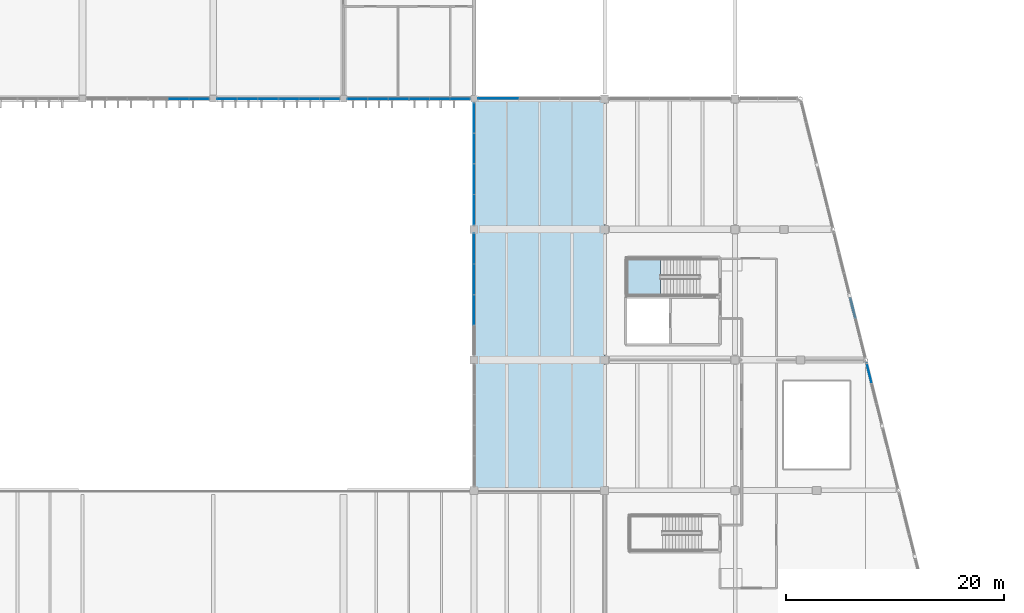
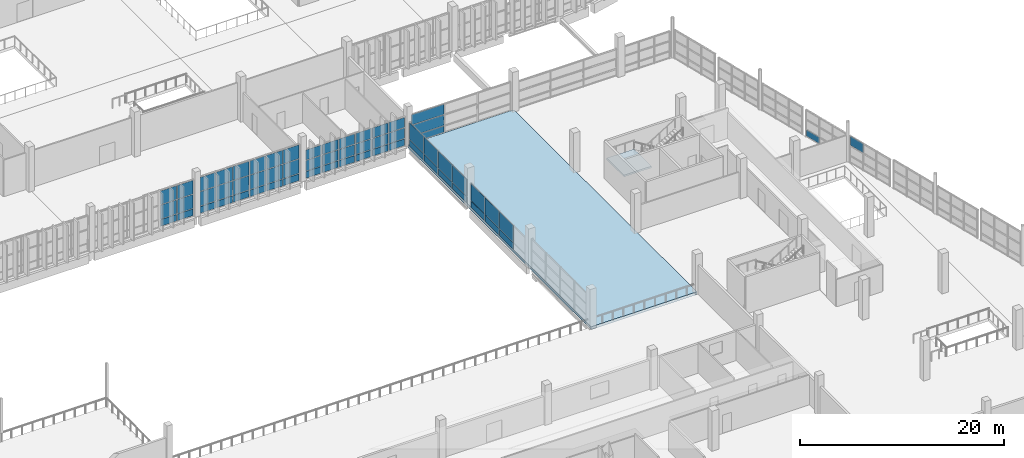
# One storey, part 66 of 112: 61 plates, 2 slabs, 11 elements without a shape of their own.
"""IFC4 building model written with IfcOpenShell, lengths in metres."""

from ifc_helpers import new_model, si_unit, direction, frame, origin, origin_2d, place, context, subcontext, project, spatial, polyline, rectangle, outline, extrude, material, layer, layer_set, type_object, element, aggregate, save


model = new_model("IFC4")

# Units and contexts
model_context = context("Model", 3, precision=1e-05, world=origin(), true_north=direction((0.0, 1.0)))
body_context = subcontext(model_context, "Body", "Model", "MODEL_VIEW")
ifc_project = project(units=[si_unit("LENGTHUNIT", "METRE"), si_unit("AREAUNIT", "SQUARE_METRE"), si_unit("VOLUMEUNIT", "CUBIC_METRE"), si_unit("PLANEANGLEUNIT", "RADIAN"), si_unit("MASSUNIT", "GRAM", prefix="KILO")], contexts=[model_context])

# Site, building, storey
site_placement = place(None, origin())
site = spatial("IfcSite", under=ifc_project, at=site_placement, CompositionType="ELEMENT")
building_placement = place(site_placement, origin())
building = spatial("IfcBuilding", under=site, at=building_placement, Name="Kamomehara Wholesale Market", CompositionType="ELEMENT")
storey_placement = place(building_placement, frame((0.0, 0.0, 6.60009765625)))
storey = spatial("IfcBuildingStorey", under=building, at=storey_placement, Name="L01", CompositionType="ELEMENT", Elevation=6.60009765625)

# Curtain wall, plates
ifc_material_1 = material(Name="Anodised aluminium 6063-T5", Category="aluminium")
curtain_wall_type_1 = type_object("IfcCurtainWallType", Name="CW-UN-02", PredefinedType="NOTDEFINED", material=ifc_material_1)
curtain_wall_1_placement = place(storey_placement, origin())
curtain_wall_1 = element("IfcCurtainWall", 1, at=curtain_wall_1_placement, inside=storey, type_object=curtain_wall_type_1, Name="Unitised curtain wall CW-079", PredefinedType="NOTDEFINED")
ifc_material_2 = material(Name="Solar-control Low-E double glazing", Category="glass")
ifc_layer_1 = layer(ifc_material_2, 0.028076171875)
ifc_layer_set_1 = layer_set([ifc_layer_1], Name="Solar-control Low-E double glazing")
plate_type_1 = type_object("IfcPlateType", Name="CW-PNL-GLZ", PredefinedType="CURTAIN_PANEL", material=ifc_layer_set_1)
plate_1_placement = place(storey_placement, frame((130.712890625, 95.97998046875, 0.93017578125), z_axis=(0.0, 0.0, 1.0), x_axis=(-1.0, 0.0, 0.0)))
plate_1 = element("IfcPlate", 2, at=plate_1_placement, type_object=plate_type_1, Name="Curtain panel CW-079.0.1", PredefinedType="CURTAIN_PANEL", context=body_context, shape_type="SweptSolid", body=[
    extrude(rectangle(XDim=1.79296875, YDim=0.028076171875, at=origin_2d()), origin(), (0.0, 0.0, 1.0), 1.679931640625),
])
plate_2_placement = place(storey_placement, frame((130.712890625, 95.97998046875, 2.669921875), z_axis=(0.0, 0.0, 1.0), x_axis=(-1.0, 0.0, 0.0)))
plate_2 = element("IfcPlate", 3, at=plate_2_placement, type_object=plate_type_1, Name="Curtain panel CW-079.0.2", PredefinedType="CURTAIN_PANEL", context=body_context, shape_type="SweptSolid", body=[
    extrude(rectangle(XDim=1.79296875, YDim=0.028076171875, at=origin_2d()), origin(), (0.0, 0.0, 1.0), 1.639892578125),
])
plate_3_placement = place(storey_placement, frame((128.840087890625, 95.97998046875, 0.93017578125), z_axis=(0.0, 0.0, 1.0), x_axis=(-1.0, 0.0, 0.0)))
plate_3 = element("IfcPlate", 4, at=plate_3_placement, type_object=plate_type_1, Name="Curtain panel CW-079.1.1", PredefinedType="CURTAIN_PANEL", context=body_context, shape_type="SweptSolid", body=[
    extrude(rectangle(XDim=1.79296875, YDim=0.028076171875, at=origin_2d()), origin(), (0.0, 0.0, 1.0), 1.679931640625),
])
plate_4_placement = place(storey_placement, frame((128.840087890625, 95.97998046875, 2.669921875), z_axis=(0.0, 0.0, 1.0), x_axis=(-1.0, 0.0, 0.0)))
plate_4 = element("IfcPlate", 5, at=plate_4_placement, type_object=plate_type_1, Name="Curtain panel CW-079.1.2", PredefinedType="CURTAIN_PANEL", context=body_context, shape_type="SweptSolid", body=[
    extrude(rectangle(XDim=1.79296875, YDim=0.028076171875, at=origin_2d()), origin(), (0.0, 0.0, 1.0), 1.639892578125),
])

curtain_wall_2_placement = place(storey_placement, origin())
curtain_wall_2 = element("IfcCurtainWall", 6, at=curtain_wall_2_placement, inside=storey, type_object=curtain_wall_type_1, Name="Unitised curtain wall CW-083", PredefinedType="NOTDEFINED")
plate_5_placement = place(storey_placement, frame((142.712890625, 95.97998046875, 0.930419921875), z_axis=(0.0, 0.0, 1.0), x_axis=(-1.0, 0.0, 0.0)))
plate_5 = element("IfcPlate", 7, at=plate_5_placement, type_object=plate_type_1, Name="Curtain panel CW-083.0.1", PredefinedType="CURTAIN_PANEL", context=body_context, shape_type="SweptSolid", body=[
    extrude(rectangle(XDim=1.79296875, YDim=0.028076171875, at=origin_2d()), origin(), (0.0, 0.0, 1.0), 1.705078125),
])
plate_6_placement = place(storey_placement, frame((142.712890625, 95.97998046875, 2.6953125), z_axis=(0.0, 0.0, 1.0), x_axis=(-1.0, 0.0, 0.0)))
plate_6 = element("IfcPlate", 8, at=plate_6_placement, type_object=plate_type_1, Name="Curtain panel CW-083.0.2", PredefinedType="CURTAIN_PANEL", context=body_context, shape_type="SweptSolid", body=[
    extrude(rectangle(XDim=1.79296875, YDim=0.028076171875, at=origin_2d()), origin(), (0.0, 0.0, 1.0), 1.6650390625),
])
plate_7_placement = place(storey_placement, frame((140.840087890625, 95.97998046875, 0.930419921875), z_axis=(0.0, 0.0, 1.0), x_axis=(-1.0, 0.0, 0.0)))
plate_7 = element("IfcPlate", 9, at=plate_7_placement, type_object=plate_type_1, Name="Curtain panel CW-083.1.1", PredefinedType="CURTAIN_PANEL", context=body_context, shape_type="SweptSolid", body=[
    extrude(rectangle(XDim=1.79296875, YDim=0.028076171875, at=origin_2d()), origin(), (0.0, 0.0, 1.0), 1.705078125),
])
plate_8_placement = place(storey_placement, frame((140.840087890625, 95.97998046875, 2.6953125), z_axis=(0.0, 0.0, 1.0), x_axis=(-1.0, 0.0, 0.0)))
plate_8 = element("IfcPlate", 10, at=plate_8_placement, type_object=plate_type_1, Name="Curtain panel CW-083.1.2", PredefinedType="CURTAIN_PANEL", context=body_context, shape_type="SweptSolid", body=[
    extrude(rectangle(XDim=1.79296875, YDim=0.028076171875, at=origin_2d()), origin(), (0.0, 0.0, 1.0), 1.6650390625),
])
plate_9_placement = place(storey_placement, frame((138.967041015625, 95.97998046875, 0.930419921875), z_axis=(0.0, 0.0, 1.0), x_axis=(-1.0, 0.0, 0.0)))
plate_9 = element("IfcPlate", 11, at=plate_9_placement, type_object=plate_type_1, Name="Curtain panel CW-083.2.1", PredefinedType="CURTAIN_PANEL", context=body_context, shape_type="SweptSolid", body=[
    extrude(rectangle(XDim=1.79296875, YDim=0.028076171875, at=origin_2d()), origin(), (0.0, 0.0, 1.0), 1.705078125),
])
plate_10_placement = place(storey_placement, frame((138.967041015625, 95.97998046875, 2.6953125), z_axis=(0.0, 0.0, 1.0), x_axis=(-1.0, 0.0, 0.0)))
plate_10 = element("IfcPlate", 12, at=plate_10_placement, type_object=plate_type_1, Name="Curtain panel CW-083.2.2", PredefinedType="CURTAIN_PANEL", context=body_context, shape_type="SweptSolid", body=[
    extrude(rectangle(XDim=1.79296875, YDim=0.028076171875, at=origin_2d()), origin(), (0.0, 0.0, 1.0), 1.6650390625),
])

curtain_wall_3_placement = place(storey_placement, origin())
curtain_wall_3 = element("IfcCurtainWall", 13, at=curtain_wall_3_placement, inside=storey, type_object=curtain_wall_type_1, Name="Unitised curtain wall CW-084", PredefinedType="NOTDEFINED")
plate_11_placement = place(storey_placement, frame((137.032958984375, 95.97998046875, 0.930419921875), z_axis=(0.0, 0.0, 1.0), x_axis=(-1.0, 0.0, 0.0)))
plate_11 = element("IfcPlate", 14, at=plate_11_placement, type_object=plate_type_1, Name="Curtain panel CW-084.0.1", PredefinedType="CURTAIN_PANEL", context=body_context, shape_type="SweptSolid", body=[
    extrude(rectangle(XDim=1.79296875, YDim=0.028076171875, at=origin_2d()), origin(), (0.0, 0.0, 1.0), 1.705078125),
])
plate_12_placement = place(storey_placement, frame((137.032958984375, 95.97998046875, 2.6953125), z_axis=(0.0, 0.0, 1.0), x_axis=(-1.0, 0.0, 0.0)))
plate_12 = element("IfcPlate", 15, at=plate_12_placement, type_object=plate_type_1, Name="Curtain panel CW-084.0.2", PredefinedType="CURTAIN_PANEL", context=body_context, shape_type="SweptSolid", body=[
    extrude(rectangle(XDim=1.79296875, YDim=0.028076171875, at=origin_2d()), origin(), (0.0, 0.0, 1.0), 1.6650390625),
])
plate_13_placement = place(storey_placement, frame((135.159912109375, 95.97998046875, 0.930419921875), z_axis=(0.0, 0.0, 1.0), x_axis=(-1.0, 0.0, 0.0)))
plate_13 = element("IfcPlate", 16, at=plate_13_placement, type_object=plate_type_1, Name="Curtain panel CW-084.1.1", PredefinedType="CURTAIN_PANEL", context=body_context, shape_type="SweptSolid", body=[
    extrude(rectangle(XDim=1.79296875, YDim=0.028076171875, at=origin_2d()), origin(), (0.0, 0.0, 1.0), 1.705078125),
])
plate_14_placement = place(storey_placement, frame((135.159912109375, 95.97998046875, 2.6953125), z_axis=(0.0, 0.0, 1.0), x_axis=(-1.0, 0.0, 0.0)))
plate_14 = element("IfcPlate", 17, at=plate_14_placement, type_object=plate_type_1, Name="Curtain panel CW-084.1.2", PredefinedType="CURTAIN_PANEL", context=body_context, shape_type="SweptSolid", body=[
    extrude(rectangle(XDim=1.79296875, YDim=0.028076171875, at=origin_2d()), origin(), (0.0, 0.0, 1.0), 1.6650390625),
])
plate_15_placement = place(storey_placement, frame((133.287109375, 95.97998046875, 0.930419921875), z_axis=(0.0, 0.0, 1.0), x_axis=(-1.0, 0.0, 0.0)))
plate_15 = element("IfcPlate", 18, at=plate_15_placement, type_object=plate_type_1, Name="Curtain panel CW-084.2.1", PredefinedType="CURTAIN_PANEL", context=body_context, shape_type="SweptSolid", body=[
    extrude(rectangle(XDim=1.79296875, YDim=0.028076171875, at=origin_2d()), origin(), (0.0, 0.0, 1.0), 1.705078125),
])
plate_16_placement = place(storey_placement, frame((133.287109375, 95.97998046875, 2.6953125), z_axis=(0.0, 0.0, 1.0), x_axis=(-1.0, 0.0, 0.0)))
plate_16 = element("IfcPlate", 19, at=plate_16_placement, type_object=plate_type_1, Name="Curtain panel CW-084.2.2", PredefinedType="CURTAIN_PANEL", context=body_context, shape_type="SweptSolid", body=[
    extrude(rectangle(XDim=1.79296875, YDim=0.028076171875, at=origin_2d()), origin(), (0.0, 0.0, 1.0), 1.6650390625),
])

curtain_wall_4_placement = place(storey_placement, origin())
curtain_wall_4 = element("IfcCurtainWall", 20, at=curtain_wall_4_placement, inside=storey, type_object=curtain_wall_type_1, Name="Unitised curtain wall CW-087", PredefinedType="NOTDEFINED")
plate_17_placement = place(storey_placement, frame((154.712890625, 95.97998046875, 0.929443359375), z_axis=(0.0, 0.0, 1.0), x_axis=(-1.0, 0.0, 0.0)))
plate_17 = element("IfcPlate", 21, at=plate_17_placement, type_object=plate_type_1, Name="Curtain panel CW-087.0.1", PredefinedType="CURTAIN_PANEL", context=body_context, shape_type="SweptSolid", body=[
    extrude(rectangle(XDim=1.79296875, YDim=0.028076171875, at=origin_2d()), origin(), (0.0, 0.0, 1.0), 1.2490234375),
])
plate_18_placement = place(storey_placement, frame((154.712890625, 95.97998046875, 2.239013671875), z_axis=(0.0, 0.0, 1.0), x_axis=(-1.0, 0.0, 0.0)))
plate_18 = element("IfcPlate", 22, at=plate_18_placement, type_object=plate_type_1, Name="Curtain panel CW-087.0.2", PredefinedType="CURTAIN_PANEL", context=body_context, shape_type="SweptSolid", body=[
    extrude(rectangle(XDim=1.79296875, YDim=0.028076171875, at=origin_2d()), origin(), (0.0, 0.0, 1.0), 1.2099609375),
])
plate_19_placement = place(storey_placement, frame((152.840087890625, 95.97998046875, 0.929443359375), z_axis=(0.0, 0.0, 1.0), x_axis=(-1.0, 0.0, 0.0)))
plate_19 = element("IfcPlate", 23, at=plate_19_placement, type_object=plate_type_1, Name="Curtain panel CW-087.1.1", PredefinedType="CURTAIN_PANEL", context=body_context, shape_type="SweptSolid", body=[
    extrude(rectangle(XDim=1.79296875, YDim=0.028076171875, at=origin_2d()), origin(), (0.0, 0.0, 1.0), 1.2490234375),
])
plate_20_placement = place(storey_placement, frame((152.840087890625, 95.97998046875, 2.239013671875), z_axis=(0.0, 0.0, 1.0), x_axis=(-1.0, 0.0, 0.0)))
plate_20 = element("IfcPlate", 24, at=plate_20_placement, type_object=plate_type_1, Name="Curtain panel CW-087.1.2", PredefinedType="CURTAIN_PANEL", context=body_context, shape_type="SweptSolid", body=[
    extrude(rectangle(XDim=1.79296875, YDim=0.028076171875, at=origin_2d()), origin(), (0.0, 0.0, 1.0), 1.2099609375),
])
plate_21_placement = place(storey_placement, frame((150.967041015625, 95.97998046875, 0.929443359375), z_axis=(0.0, 0.0, 1.0), x_axis=(-1.0, 0.0, 0.0)))
plate_21 = element("IfcPlate", 25, at=plate_21_placement, type_object=plate_type_1, Name="Curtain panel CW-087.2.1", PredefinedType="CURTAIN_PANEL", context=body_context, shape_type="SweptSolid", body=[
    extrude(rectangle(XDim=1.79296875, YDim=0.028076171875, at=origin_2d()), origin(), (0.0, 0.0, 1.0), 1.2490234375),
])
plate_22_placement = place(storey_placement, frame((150.967041015625, 95.97998046875, 2.239013671875), z_axis=(0.0, 0.0, 1.0), x_axis=(-1.0, 0.0, 0.0)))
plate_22 = element("IfcPlate", 26, at=plate_22_placement, type_object=plate_type_1, Name="Curtain panel CW-087.2.2", PredefinedType="CURTAIN_PANEL", context=body_context, shape_type="SweptSolid", body=[
    extrude(rectangle(XDim=1.79296875, YDim=0.028076171875, at=origin_2d()), origin(), (0.0, 0.0, 1.0), 1.2099609375),
])

curtain_wall_5_placement = place(storey_placement, origin())
curtain_wall_5 = element("IfcCurtainWall", 27, at=curtain_wall_5_placement, inside=storey, type_object=curtain_wall_type_1, Name="Unitised curtain wall CW-088", PredefinedType="NOTDEFINED")
plate_23_placement = place(storey_placement, frame((149.032958984375, 95.97998046875, 0.929443359375), z_axis=(0.0, 0.0, 1.0), x_axis=(-1.0, 0.0, 0.0)))
plate_23 = element("IfcPlate", 28, at=plate_23_placement, type_object=plate_type_1, Name="Curtain panel CW-088.0.1", PredefinedType="CURTAIN_PANEL", context=body_context, shape_type="SweptSolid", body=[
    extrude(rectangle(XDim=1.79296875, YDim=0.028076171875, at=origin_2d()), origin(), (0.0, 0.0, 1.0), 1.2490234375),
])
plate_24_placement = place(storey_placement, frame((149.032958984375, 95.97998046875, 2.239013671875), z_axis=(0.0, 0.0, 1.0), x_axis=(-1.0, 0.0, 0.0)))
plate_24 = element("IfcPlate", 29, at=plate_24_placement, type_object=plate_type_1, Name="Curtain panel CW-088.0.2", PredefinedType="CURTAIN_PANEL", context=body_context, shape_type="SweptSolid", body=[
    extrude(rectangle(XDim=1.79296875, YDim=0.028076171875, at=origin_2d()), origin(), (0.0, 0.0, 1.0), 1.2099609375),
])
plate_25_placement = place(storey_placement, frame((147.159912109375, 95.97998046875, 0.929443359375), z_axis=(0.0, 0.0, 1.0), x_axis=(-1.0, 0.0, 0.0)))
plate_25 = element("IfcPlate", 30, at=plate_25_placement, type_object=plate_type_1, Name="Curtain panel CW-088.1.1", PredefinedType="CURTAIN_PANEL", context=body_context, shape_type="SweptSolid", body=[
    extrude(rectangle(XDim=1.79296875, YDim=0.028076171875, at=origin_2d()), origin(), (0.0, 0.0, 1.0), 1.2490234375),
])
plate_26_placement = place(storey_placement, frame((147.159912109375, 95.97998046875, 2.239013671875), z_axis=(0.0, 0.0, 1.0), x_axis=(-1.0, 0.0, 0.0)))
plate_26 = element("IfcPlate", 31, at=plate_26_placement, type_object=plate_type_1, Name="Curtain panel CW-088.1.2", PredefinedType="CURTAIN_PANEL", context=body_context, shape_type="SweptSolid", body=[
    extrude(rectangle(XDim=1.79296875, YDim=0.028076171875, at=origin_2d()), origin(), (0.0, 0.0, 1.0), 1.2099609375),
])
plate_27_placement = place(storey_placement, frame((145.287109375, 95.97998046875, 0.929443359375), z_axis=(0.0, 0.0, 1.0), x_axis=(-1.0, 0.0, 0.0)))
plate_27 = element("IfcPlate", 32, at=plate_27_placement, type_object=plate_type_1, Name="Curtain panel CW-088.2.1", PredefinedType="CURTAIN_PANEL", context=body_context, shape_type="SweptSolid", body=[
    extrude(rectangle(XDim=1.79296875, YDim=0.028076171875, at=origin_2d()), origin(), (0.0, 0.0, 1.0), 1.2490234375),
])
plate_28_placement = place(storey_placement, frame((145.287109375, 95.97998046875, 2.239013671875), z_axis=(0.0, 0.0, 1.0), x_axis=(-1.0, 0.0, 0.0)))
plate_28 = element("IfcPlate", 33, at=plate_28_placement, type_object=plate_type_1, Name="Curtain panel CW-088.2.2", PredefinedType="CURTAIN_PANEL", context=body_context, shape_type="SweptSolid", body=[
    extrude(rectangle(XDim=1.79296875, YDim=0.028076171875, at=origin_2d()), origin(), (0.0, 0.0, 1.0), 1.2099609375),
])

# Curtain wall, plate
ifc_material_3 = material(Name="Anodised aluminium 6063-T5", Category="aluminium")
curtain_wall_type_2 = type_object("IfcCurtainWallType", Name="CW-UN-09", PredefinedType="NOTDEFINED", material=ifc_material_3)
curtain_wall_6_placement = place(storey_placement, origin())
curtain_wall_6 = element("IfcCurtainWall", 34, at=curtain_wall_6_placement, inside=storey, type_object=curtain_wall_type_2, Name="Unitised curtain wall CW-183", PredefinedType="NOTDEFINED")
plate_29_placement = place(storey_placement, frame((192.333984375, 70.74609375, 2.079345703125), z_axis=(0.0, 0.0, 1.0), x_axis=(0.242616162662, -0.970122362187, 0.0)))
plate_29 = element("IfcPlate", 35, at=plate_29_placement, type_object=plate_type_1, Name="Curtain panel CW-183.0.2", PredefinedType="CURTAIN_PANEL", context=body_context, shape_type="SweptSolid", body=[
    extrude(rectangle(XDim=1.81494140625, YDim=0.028076171875, at=origin_2d()), origin(), (0.0, 0.0, 1.0), 1.09912109375),
])
aggregate(curtain_wall_6, [plate_29])

# Curtain wall, plates
ifc_material_4 = material(Name="Anodised aluminium 6063-T5", Category="aluminium")
curtain_wall_type_3 = type_object("IfcCurtainWallType", Name="CW-UN-08", PredefinedType="NOTDEFINED", material=ifc_material_4)
curtain_wall_7_placement = place(storey_placement, origin())
curtain_wall_7 = element("IfcCurtainWall", 36, at=curtain_wall_7_placement, inside=storey, type_object=curtain_wall_type_3, Name="Unitised curtain wall CW-189", PredefinedType="NOTDEFINED")
plate_30_placement = place(storey_placement, frame((158.22705078125, 96.02001953125, 0.8798828125), z_axis=(0.0, 0.0, 1.0), x_axis=(1.0, 0.0, 0.0)))
plate_30 = element("IfcPlate", 37, at=plate_30_placement, type_object=plate_type_1, Name="Curtain panel CW-189.0.1", PredefinedType="CURTAIN_PANEL", context=body_context, shape_type="SweptSolid", body=[
    extrude(rectangle(XDim=3.675048828125, YDim=0.028076171875, at=origin_2d()), origin(), (0.0, 0.0, 1.0), 1.27392578125),
])
plate_31_placement = place(storey_placement, frame((158.22705078125, 96.02001953125, 2.2138671875), z_axis=(0.0, 0.0, 1.0), x_axis=(1.0, 0.0, 0.0)))
plate_31 = element("IfcPlate", 38, at=plate_31_placement, type_object=plate_type_1, Name="Curtain panel CW-189.0.2", PredefinedType="CURTAIN_PANEL", context=body_context, shape_type="SweptSolid", body=[
    extrude(rectangle(XDim=3.675048828125, YDim=0.028076171875, at=origin_2d()), origin(), (0.0, 0.0, 1.0), 1.23388671875),
])

ifc_material_5 = material(Name="Anodised aluminium 6063-T5", Category="aluminium")
curtain_wall_type_4 = type_object("IfcCurtainWallType", Name="CW-UN-01", PredefinedType="NOTDEFINED", material=ifc_material_5)
curtain_wall_8_placement = place(storey_placement, origin())
curtain_wall_8 = element("IfcCurtainWall", 39, at=curtain_wall_8_placement, inside=storey, type_object=curtain_wall_type_4, Name="Unitised curtain wall CW-193", PredefinedType="NOTDEFINED")
plate_32_placement = place(storey_placement, frame((155.97998046875, 76.595947265625, 0.8798828125), z_axis=(0.0, 0.0, 1.0), x_axis=(0.0, 1.0, 0.0)))
plate_32 = element("IfcPlate", 40, at=plate_32_placement, type_object=plate_type_1, Name="Curtain panel CW-193.1.1", PredefinedType="CURTAIN_PANEL", context=body_context, shape_type="SweptSolid", body=[
    extrude(rectangle(XDim=2.72705078125, YDim=0.028076171875, at=origin_2d()), origin(), (0.0, 0.0, 1.0), 2.01806640625),
])
plate_33_placement = place(storey_placement, frame((155.97998046875, 79.404052734375, 0.8798828125), z_axis=(0.0, 0.0, 1.0), x_axis=(0.0, 1.0, 0.0)))
plate_33 = element("IfcPlate", 41, at=plate_33_placement, type_object=plate_type_1, Name="Curtain panel CW-193.2.1", PredefinedType="CURTAIN_PANEL", context=body_context, shape_type="SweptSolid", body=[
    extrude(rectangle(XDim=2.72705078125, YDim=0.028076171875, at=origin_2d()), origin(), (0.0, 0.0, 1.0), 2.01806640625),
])
plate_34_placement = place(storey_placement, frame((155.97998046875, 82.2109375, 0.8798828125), z_axis=(0.0, 0.0, 1.0), x_axis=(0.0, 1.0, 0.0)))
plate_34 = element("IfcPlate", 42, at=plate_34_placement, type_object=plate_type_1, Name="Curtain panel CW-193.3.1", PredefinedType="CURTAIN_PANEL", context=body_context, shape_type="SweptSolid", body=[
    extrude(rectangle(XDim=2.72705078125, YDim=0.028076171875, at=origin_2d()), origin(), (0.0, 0.0, 1.0), 2.01806640625),
])

curtain_wall_9_placement = place(storey_placement, origin())
curtain_wall_9 = element("IfcCurtainWall", 43, at=curtain_wall_9_placement, inside=storey, type_object=curtain_wall_type_4, Name="Unitised curtain wall CW-194", PredefinedType="NOTDEFINED")
plate_35_placement = place(storey_placement, frame((155.97998046875, 85.79296875, 0.8798828125), z_axis=(0.0, 0.0, 1.0), x_axis=(0.0, 1.0, 0.0)))
plate_35 = element("IfcPlate", 44, at=plate_35_placement, type_object=plate_type_1, Name="Curtain panel CW-194.0.1", PredefinedType="CURTAIN_PANEL", context=body_context, shape_type="SweptSolid", body=[
    extrude(rectangle(XDim=2.736083984375, YDim=0.028076171875, at=origin_2d()), origin(), (0.0, 0.0, 1.0), 2.01806640625),
])
plate_36_placement = place(storey_placement, frame((155.97998046875, 88.60888671875, 0.8798828125), z_axis=(0.0, 0.0, 1.0), x_axis=(0.0, 1.0, 0.0)))
plate_36 = element("IfcPlate", 45, at=plate_36_placement, type_object=plate_type_1, Name="Curtain panel CW-194.1.1", PredefinedType="CURTAIN_PANEL", context=body_context, shape_type="SweptSolid", body=[
    extrude(rectangle(XDim=2.736083984375, YDim=0.028076171875, at=origin_2d()), origin(), (0.0, 0.0, 1.0), 2.01806640625),
])
plate_37_placement = place(storey_placement, frame((155.97998046875, 91.426025390625, 0.8798828125), z_axis=(0.0, 0.0, 1.0), x_axis=(0.0, 1.0, 0.0)))
plate_37 = element("IfcPlate", 46, at=plate_37_placement, type_object=plate_type_1, Name="Curtain panel CW-194.2.1", PredefinedType="CURTAIN_PANEL", context=body_context, shape_type="SweptSolid", body=[
    extrude(rectangle(XDim=2.736083984375, YDim=0.028076171875, at=origin_2d()), origin(), (0.0, 0.0, 1.0), 2.01806640625),
])
plate_38_placement = place(storey_placement, frame((155.97998046875, 94.241943359375, 0.8798828125), z_axis=(0.0, 0.0, 1.0), x_axis=(0.0, 1.0, 0.0)))
plate_38 = element("IfcPlate", 47, at=plate_38_placement, type_object=plate_type_1, Name="Curtain panel CW-194.3.1", PredefinedType="CURTAIN_PANEL", context=body_context, shape_type="SweptSolid", body=[
    extrude(rectangle(XDim=2.736083984375, YDim=0.028076171875, at=origin_2d()), origin(), (0.0, 0.0, 1.0), 2.01806640625),
])

# Plate
ifc_material_6 = material(Name="Insulated aluminium spandrel panel", Category="aluminium")
ifc_layer_2 = layer(ifc_material_6, 0.0400390625)
ifc_layer_set_2 = layer_set([ifc_layer_2], Name="Insulated aluminium spandrel panel")
plate_type_2 = type_object("IfcPlateType", Name="CW-PNL-SPN", PredefinedType="CURTAIN_PANEL", material=ifc_layer_set_2)
plate_39_placement = place(storey_placement, frame((130.712890625, 95.97998046875, 0.06982421875), z_axis=(0.0, 0.0, 1.0), x_axis=(-1.0, 0.0, 0.0)))
plate_39 = element("IfcPlate", 48, at=plate_39_placement, type_object=plate_type_2, Name="Curtain panel CW-079.0.0", PredefinedType="CURTAIN_PANEL", context=body_context, shape_type="SweptSolid", body=[
    extrude(rectangle(XDim=1.79296875, YDim=0.0400390625, at=origin_2d()), origin(), (0.0, 0.0, 1.0), 0.800048828125),
])

plate_40_placement = place(storey_placement, frame((128.840087890625, 95.97998046875, 0.06982421875), z_axis=(0.0, 0.0, 1.0), x_axis=(-1.0, 0.0, 0.0)))
plate_40 = element("IfcPlate", 49, at=plate_40_placement, type_object=plate_type_2, Name="Curtain panel CW-079.1.0", PredefinedType="CURTAIN_PANEL", context=body_context, shape_type="SweptSolid", body=[
    extrude(rectangle(XDim=1.79296875, YDim=0.0400390625, at=origin_2d()), origin(), (0.0, 0.0, 1.0), 0.800048828125),
])

aggregate(curtain_wall_1, [plate_39, plate_1, plate_2, plate_40, plate_3, plate_4])

plate_41_placement = place(storey_placement, frame((142.712890625, 95.97998046875, 0.06982421875), z_axis=(0.0, 0.0, 1.0), x_axis=(-1.0, 0.0, 0.0)))
plate_41 = element("IfcPlate", 50, at=plate_41_placement, type_object=plate_type_2, Name="Curtain panel CW-083.0.0", PredefinedType="CURTAIN_PANEL", context=body_context, shape_type="SweptSolid", body=[
    extrude(rectangle(XDim=1.79296875, YDim=0.0400390625, at=origin_2d()), origin(), (0.0, 0.0, 1.0), 0.800048828125),
])

plate_42_placement = place(storey_placement, frame((140.840087890625, 95.97998046875, 0.06982421875), z_axis=(0.0, 0.0, 1.0), x_axis=(-1.0, 0.0, 0.0)))
plate_42 = element("IfcPlate", 51, at=plate_42_placement, type_object=plate_type_2, Name="Curtain panel CW-083.1.0", PredefinedType="CURTAIN_PANEL", context=body_context, shape_type="SweptSolid", body=[
    extrude(rectangle(XDim=1.79296875, YDim=0.0400390625, at=origin_2d()), origin(), (0.0, 0.0, 1.0), 0.800048828125),
])

plate_43_placement = place(storey_placement, frame((138.967041015625, 95.97998046875, 0.06982421875), z_axis=(0.0, 0.0, 1.0), x_axis=(-1.0, 0.0, 0.0)))
plate_43 = element("IfcPlate", 52, at=plate_43_placement, type_object=plate_type_2, Name="Curtain panel CW-083.2.0", PredefinedType="CURTAIN_PANEL", context=body_context, shape_type="SweptSolid", body=[
    extrude(rectangle(XDim=1.79296875, YDim=0.0400390625, at=origin_2d()), origin(), (0.0, 0.0, 1.0), 0.800048828125),
])

aggregate(curtain_wall_2, [plate_41, plate_5, plate_6, plate_42, plate_7, plate_8, plate_43, plate_9, plate_10])

plate_44_placement = place(storey_placement, frame((137.032958984375, 95.97998046875, 0.06982421875), z_axis=(0.0, 0.0, 1.0), x_axis=(-1.0, 0.0, 0.0)))
plate_44 = element("IfcPlate", 53, at=plate_44_placement, type_object=plate_type_2, Name="Curtain panel CW-084.0.0", PredefinedType="CURTAIN_PANEL", context=body_context, shape_type="SweptSolid", body=[
    extrude(rectangle(XDim=1.79296875, YDim=0.0400390625, at=origin_2d()), origin(), (0.0, 0.0, 1.0), 0.800048828125),
])

plate_45_placement = place(storey_placement, frame((135.159912109375, 95.97998046875, 0.06982421875), z_axis=(0.0, 0.0, 1.0), x_axis=(-1.0, 0.0, 0.0)))
plate_45 = element("IfcPlate", 54, at=plate_45_placement, type_object=plate_type_2, Name="Curtain panel CW-084.1.0", PredefinedType="CURTAIN_PANEL", context=body_context, shape_type="SweptSolid", body=[
    extrude(rectangle(XDim=1.79296875, YDim=0.0400390625, at=origin_2d()), origin(), (0.0, 0.0, 1.0), 0.800048828125),
])

plate_46_placement = place(storey_placement, frame((133.287109375, 95.97998046875, 0.06982421875), z_axis=(0.0, 0.0, 1.0), x_axis=(-1.0, 0.0, 0.0)))
plate_46 = element("IfcPlate", 55, at=plate_46_placement, type_object=plate_type_2, Name="Curtain panel CW-084.2.0", PredefinedType="CURTAIN_PANEL", context=body_context, shape_type="SweptSolid", body=[
    extrude(rectangle(XDim=1.79296875, YDim=0.0400390625, at=origin_2d()), origin(), (0.0, 0.0, 1.0), 0.800048828125),
])

aggregate(curtain_wall_3, [plate_44, plate_11, plate_12, plate_45, plate_13, plate_14, plate_46, plate_15, plate_16])

plate_47_placement = place(storey_placement, frame((154.712890625, 95.97998046875, 0.06982421875), z_axis=(0.0, 0.0, 1.0), x_axis=(-1.0, 0.0, 0.0)))
plate_47 = element("IfcPlate", 56, at=plate_47_placement, type_object=plate_type_2, Name="Curtain panel CW-087.0.0", PredefinedType="CURTAIN_PANEL", context=body_context, shape_type="SweptSolid", body=[
    extrude(rectangle(XDim=1.79296875, YDim=0.0400390625, at=origin_2d()), origin(), (0.0, 0.0, 1.0), 0.800048828125),
])

plate_48_placement = place(storey_placement, frame((152.840087890625, 95.97998046875, 0.06982421875), z_axis=(0.0, 0.0, 1.0), x_axis=(-1.0, 0.0, 0.0)))
plate_48 = element("IfcPlate", 57, at=plate_48_placement, type_object=plate_type_2, Name="Curtain panel CW-087.1.0", PredefinedType="CURTAIN_PANEL", context=body_context, shape_type="SweptSolid", body=[
    extrude(rectangle(XDim=1.79296875, YDim=0.0400390625, at=origin_2d()), origin(), (0.0, 0.0, 1.0), 0.800048828125),
])

plate_49_placement = place(storey_placement, frame((150.967041015625, 95.97998046875, 0.06982421875), z_axis=(0.0, 0.0, 1.0), x_axis=(-1.0, 0.0, 0.0)))
plate_49 = element("IfcPlate", 58, at=plate_49_placement, type_object=plate_type_2, Name="Curtain panel CW-087.2.0", PredefinedType="CURTAIN_PANEL", context=body_context, shape_type="SweptSolid", body=[
    extrude(rectangle(XDim=1.79296875, YDim=0.0400390625, at=origin_2d()), origin(), (0.0, 0.0, 1.0), 0.800048828125),
])

aggregate(curtain_wall_4, [plate_47, plate_17, plate_18, plate_48, plate_19, plate_20, plate_49, plate_21, plate_22])

plate_50_placement = place(storey_placement, frame((149.032958984375, 95.97998046875, 0.06982421875), z_axis=(0.0, 0.0, 1.0), x_axis=(-1.0, 0.0, 0.0)))
plate_50 = element("IfcPlate", 59, at=plate_50_placement, type_object=plate_type_2, Name="Curtain panel CW-088.0.0", PredefinedType="CURTAIN_PANEL", context=body_context, shape_type="SweptSolid", body=[
    extrude(rectangle(XDim=1.79296875, YDim=0.0400390625, at=origin_2d()), origin(), (0.0, 0.0, 1.0), 0.800048828125),
])

plate_51_placement = place(storey_placement, frame((147.159912109375, 95.97998046875, 0.06982421875), z_axis=(0.0, 0.0, 1.0), x_axis=(-1.0, 0.0, 0.0)))
plate_51 = element("IfcPlate", 60, at=plate_51_placement, type_object=plate_type_2, Name="Curtain panel CW-088.1.0", PredefinedType="CURTAIN_PANEL", context=body_context, shape_type="SweptSolid", body=[
    extrude(rectangle(XDim=1.79296875, YDim=0.0400390625, at=origin_2d()), origin(), (0.0, 0.0, 1.0), 0.800048828125),
])

plate_52_placement = place(storey_placement, frame((145.287109375, 95.97998046875, 0.06982421875), z_axis=(0.0, 0.0, 1.0), x_axis=(-1.0, 0.0, 0.0)))
plate_52 = element("IfcPlate", 61, at=plate_52_placement, type_object=plate_type_2, Name="Curtain panel CW-088.2.0", PredefinedType="CURTAIN_PANEL", context=body_context, shape_type="SweptSolid", body=[
    extrude(rectangle(XDim=1.79296875, YDim=0.0400390625, at=origin_2d()), origin(), (0.0, 0.0, 1.0), 0.800048828125),
])

aggregate(curtain_wall_5, [plate_50, plate_23, plate_24, plate_51, plate_25, plate_26, plate_52, plate_27, plate_28])

# Curtain wall, plate
curtain_wall_10_placement = place(storey_placement, origin())
curtain_wall_10 = element("IfcCurtainWall", 62, at=curtain_wall_10_placement, inside=storey, type_object=curtain_wall_type_2, Name="Unitised curtain wall CW-186", PredefinedType="NOTDEFINED")
plate_53_placement = place(storey_placement, frame((190.8330078125, 76.751953125, 0.06982421875), z_axis=(0.0, 0.0, 1.0), x_axis=(0.242446840674, -0.97016469192, 0.0)))
plate_53 = element("IfcPlate", 63, at=plate_53_placement, type_object=plate_type_2, Name="Curtain panel CW-186.0.0", PredefinedType="CURTAIN_PANEL", context=body_context, shape_type="SweptSolid", body=[
    extrude(rectangle(XDim=1.802001953125, YDim=0.0400390625, at=origin_2d()), origin(), (0.0, 0.0, 1.0), 0.75),
])
aggregate(curtain_wall_10, [plate_53])

# Plate
plate_54_placement = place(storey_placement, frame((158.22705078125, 96.02001953125, 0.06982421875), z_axis=(0.0, 0.0, 1.0), x_axis=(1.0, 0.0, 0.0)))
plate_54 = element("IfcPlate", 64, at=plate_54_placement, type_object=plate_type_2, Name="Curtain panel CW-189.0.0", PredefinedType="CURTAIN_PANEL", context=body_context, shape_type="SweptSolid", body=[
    extrude(rectangle(XDim=3.675048828125, YDim=0.0400390625, at=origin_2d()), origin(), (0.0, 0.0, 1.0), 0.75),
])

aggregate(curtain_wall_7, [plate_54, plate_30, plate_31])

plate_55_placement = place(storey_placement, frame((155.97998046875, 76.595947265625, 0.06982421875), z_axis=(0.0, 0.0, 1.0), x_axis=(0.0, 1.0, 0.0)))
plate_55 = element("IfcPlate", 65, at=plate_55_placement, type_object=plate_type_2, Name="Curtain panel CW-193.1.0", PredefinedType="CURTAIN_PANEL", context=body_context, shape_type="SweptSolid", body=[
    extrude(rectangle(XDim=2.72705078125, YDim=0.0400390625, at=origin_2d()), origin(), (0.0, 0.0, 1.0), 0.75),
])

plate_56_placement = place(storey_placement, frame((155.97998046875, 79.404052734375, 0.06982421875), z_axis=(0.0, 0.0, 1.0), x_axis=(0.0, 1.0, 0.0)))
plate_56 = element("IfcPlate", 66, at=plate_56_placement, type_object=plate_type_2, Name="Curtain panel CW-193.2.0", PredefinedType="CURTAIN_PANEL", context=body_context, shape_type="SweptSolid", body=[
    extrude(rectangle(XDim=2.72705078125, YDim=0.0400390625, at=origin_2d()), origin(), (0.0, 0.0, 1.0), 0.75),
])

plate_57_placement = place(storey_placement, frame((155.97998046875, 82.2109375, 0.06982421875), z_axis=(0.0, 0.0, 1.0), x_axis=(0.0, 1.0, 0.0)))
plate_57 = element("IfcPlate", 67, at=plate_57_placement, type_object=plate_type_2, Name="Curtain panel CW-193.3.0", PredefinedType="CURTAIN_PANEL", context=body_context, shape_type="SweptSolid", body=[
    extrude(rectangle(XDim=2.72705078125, YDim=0.0400390625, at=origin_2d()), origin(), (0.0, 0.0, 1.0), 0.75),
])

aggregate(curtain_wall_8, [plate_55, plate_32, plate_56, plate_33, plate_57, plate_34])

plate_58_placement = place(storey_placement, frame((155.97998046875, 85.79296875, 0.06982421875), z_axis=(0.0, 0.0, 1.0), x_axis=(0.0, 1.0, 0.0)))
plate_58 = element("IfcPlate", 68, at=plate_58_placement, type_object=plate_type_2, Name="Curtain panel CW-194.0.0", PredefinedType="CURTAIN_PANEL", context=body_context, shape_type="SweptSolid", body=[
    extrude(rectangle(XDim=2.736083984375, YDim=0.0400390625, at=origin_2d()), origin(), (0.0, 0.0, 1.0), 0.75),
])

plate_59_placement = place(storey_placement, frame((155.97998046875, 88.60888671875, 0.06982421875), z_axis=(0.0, 0.0, 1.0), x_axis=(0.0, 1.0, 0.0)))
plate_59 = element("IfcPlate", 69, at=plate_59_placement, type_object=plate_type_2, Name="Curtain panel CW-194.1.0", PredefinedType="CURTAIN_PANEL", context=body_context, shape_type="SweptSolid", body=[
    extrude(rectangle(XDim=2.736083984375, YDim=0.0400390625, at=origin_2d()), origin(), (0.0, 0.0, 1.0), 0.75),
])

plate_60_placement = place(storey_placement, frame((155.97998046875, 91.426025390625, 0.06982421875), z_axis=(0.0, 0.0, 1.0), x_axis=(0.0, 1.0, 0.0)))
plate_60 = element("IfcPlate", 70, at=plate_60_placement, type_object=plate_type_2, Name="Curtain panel CW-194.2.0", PredefinedType="CURTAIN_PANEL", context=body_context, shape_type="SweptSolid", body=[
    extrude(rectangle(XDim=2.736083984375, YDim=0.0400390625, at=origin_2d()), origin(), (0.0, 0.0, 1.0), 0.75),
])

plate_61_placement = place(storey_placement, frame((155.97998046875, 94.241943359375, 0.06982421875), z_axis=(0.0, 0.0, 1.0), x_axis=(0.0, 1.0, 0.0)))
plate_61 = element("IfcPlate", 71, at=plate_61_placement, type_object=plate_type_2, Name="Curtain panel CW-194.3.0", PredefinedType="CURTAIN_PANEL", context=body_context, shape_type="SweptSolid", body=[
    extrude(rectangle(XDim=2.736083984375, YDim=0.0400390625, at=origin_2d()), origin(), (0.0, 0.0, 1.0), 0.75),
])

aggregate(curtain_wall_9, [plate_58, plate_35, plate_59, plate_36, plate_60, plate_37, plate_61, plate_38])

# Slab
ifc_material_7 = material(Name="Concrete Fc36 (C35/45)", Category="concrete")
ifc_layer_3 = layer(ifc_material_7, 0.330078125)
ifc_layer_set_3 = layer_set([ifc_layer_3], Name="Concrete Fc36 (C35/45)")
slab_type_1 = type_object("IfcSlabType", Name="SLB-FLR-260", PredefinedType="FLOOR", material=ifc_layer_set_3)
slab_1_placement = place(storey_placement, frame((0.0, 0.0, -0.330078125)))
element("IfcSlab", 72, at=slab_1_placement, inside=storey, type_object=slab_type_1, Name="Floor slab V2 L01 107", PredefinedType="FLOOR", context=body_context, shape_type="SweptSolid", body=[
    extrude(outline(polyline([(168.0, 60.0), (156.0, 60.0), (156.0, 96.0), (168.0, 96.0), (168.0, 60.0)])), origin(), (0.0, 0.0, 1.0), 0.330078125),
])

# Stair, slab
ifc_material_8 = material(Name="Concrete Fc36 (C35/45)", Category="concrete")
stair_type = type_object("IfcStairType", Name="STR-DL-02", PredefinedType="HALF_TURN_STAIR", material=ifc_material_8)
stair_placement = place(storey_placement, origin())
stair = element("IfcStair", 73, at=stair_placement, inside=storey, type_object=stair_type, Name="L01 Core exit stair ST-09", PredefinedType="HALF_TURN_STAIR")
ifc_material_9 = material(Name="Concrete Fc36 (C35/45)", Category="concrete")
ifc_layer_4 = layer(ifc_material_9, 0.199951171875)
ifc_layer_set_4 = layer_set([ifc_layer_4], Name="Concrete Fc36 (C35/45)")
slab_type_2 = type_object("IfcSlabType", Name="SLB-LND-200", PredefinedType="LANDING", material=ifc_layer_set_4)
slab_2_placement = place(storey_placement, frame((0.0, 0.0, 2.199951171875)))
slab_2 = element("IfcSlab", 74, at=slab_2_placement, type_object=slab_type_2, Name="ST-09 landing 1", PredefinedType="LANDING", context=body_context, shape_type="SweptSolid", body=[
    extrude(outline(polyline([(173.14990234375, 81.300048828125), (170.050048828125, 81.300048828125), (170.050048828125, 77.89990234375), (173.14990234375, 77.89990234375), (173.14990234375, 81.300048828125)])), origin(), (0.0, 0.0, 1.0), 0.199951171875),
])
aggregate(stair, [slab_2])

save(model, "model.ifc")
